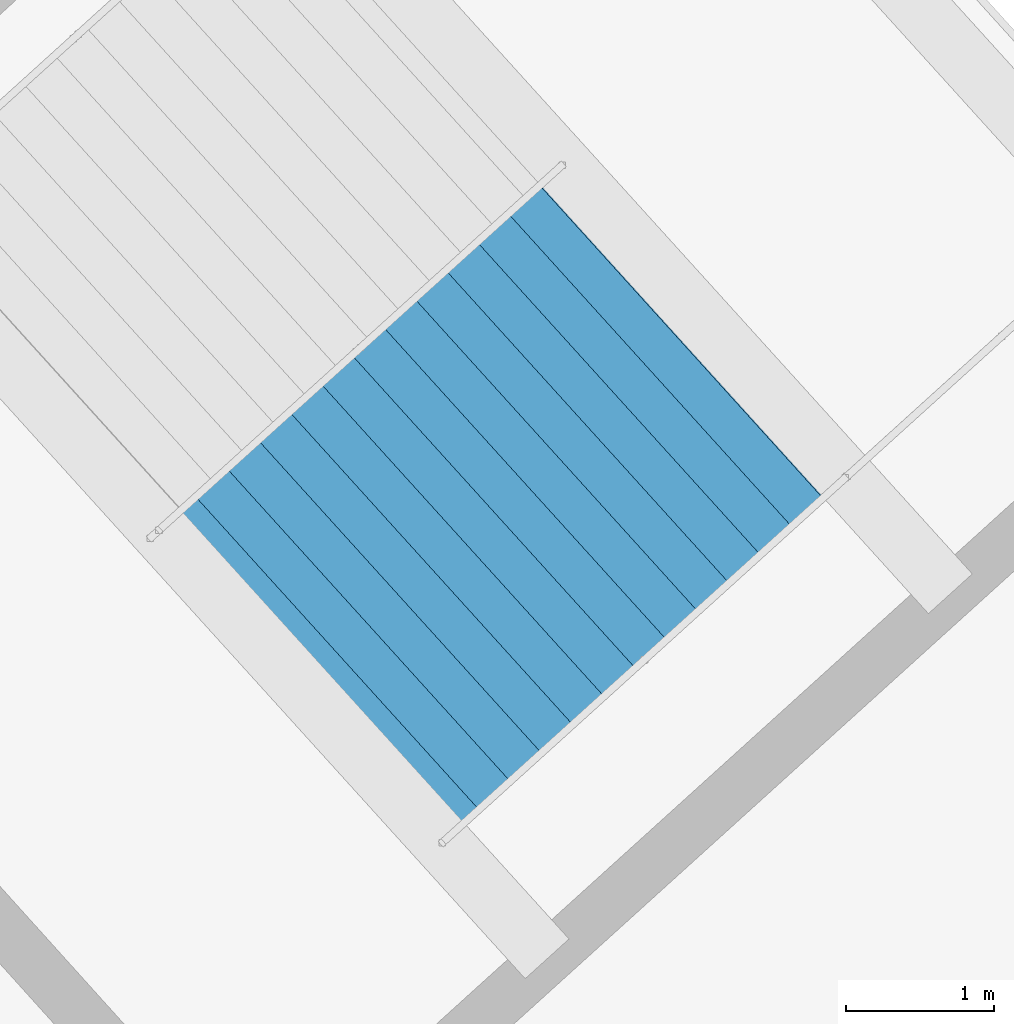
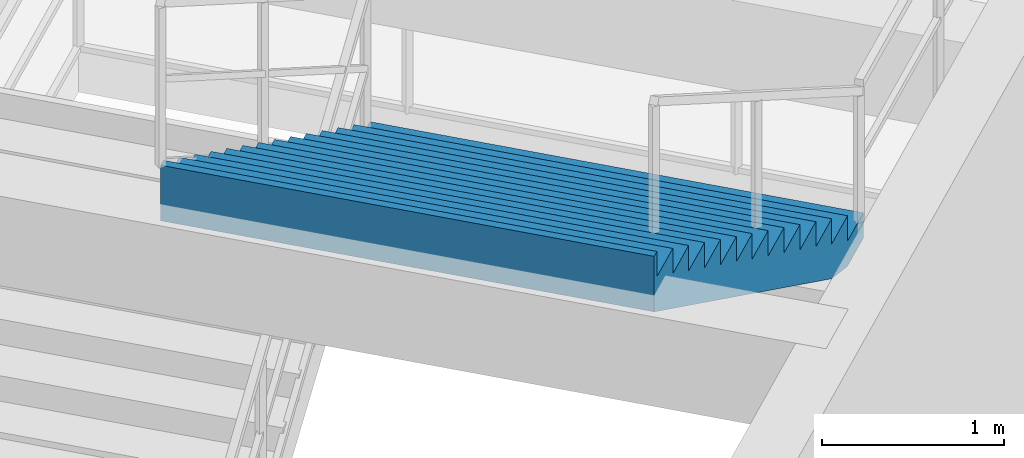
# One storey, part 125 of 156: 1 stair flight, 1 element without a shape of its own.
"""IFC4 building model written with IfcOpenShell, lengths in metres."""

from ifc_helpers import new_model, si_unit, direction, frame, origin, place, context, subcontext, project, spatial, polygons, material, type_object, element, aggregate, save


model = new_model("IFC4")

# Units and contexts
model_context = context("Model", 3, precision=1e-05, world=origin(), true_north=direction((0.0, 1.0)))
body_context = subcontext(model_context, "Body", "Model", "MODEL_VIEW")
ifc_project = project(units=[si_unit("LENGTHUNIT", "METRE"), si_unit("AREAUNIT", "SQUARE_METRE"), si_unit("VOLUMEUNIT", "CUBIC_METRE"), si_unit("PLANEANGLEUNIT", "RADIAN"), si_unit("MASSUNIT", "GRAM", prefix="KILO")], contexts=[model_context])

# Site, building, storey
site_placement = place(None, origin())
site = spatial("IfcSite", under=ifc_project, at=site_placement, CompositionType="ELEMENT")
building_placement = place(site_placement, origin())
building = spatial("IfcBuilding", under=site, at=building_placement, Name="Kazemori Nagisa Stadium", CompositionType="ELEMENT")
storey_placement = place(building_placement, frame((0.0, 0.0, 5.780029296875)))
storey = spatial("IfcBuildingStorey", under=building, at=storey_placement, Name="L01", CompositionType="ELEMENT", Elevation=5.780029296875)

# Stair, stair flight
ifc_material = material(Name="Concrete C36/45 (Fc36)", Category="concrete")
stair_type = type_object("IfcStairType", Name="Stair_CORE_28", PredefinedType="TWO_STRAIGHT_RUN_STAIR", material=ifc_material)
stair_placement = place(storey_placement, origin())
stair = element("IfcStair", 1, at=stair_placement, inside=storey, type_object=stair_type, Name="Exit stair ST04 L01", PredefinedType="TWO_STRAIGHT_RUN_STAIR")
stair_flight_type = type_object("IfcStairFlightType", Name="Flight_CORE_14", PredefinedType="STRAIGHT", material=ifc_material)
stair_flight_placement = place(storey_placement, frame((187.531494140625, 39.871337890625, 2.3798828125), z_axis=(0.0, 0.0, 1.0), x_axis=(-0.741324991793, -0.671146225903, 0.0)))
stair_flight = element("IfcStairFlight", 2, at=stair_flight_placement, type_object=stair_flight_type, Name="Exit stair ST04 L01 flight 2", NumberOfRisers=14, NumberOfTreads=13, PredefinedType="STRAIGHT", RiserHeight=0.17, TreadLength=0.285, context=body_context, shape_type="Tessellation", body=[
    polygons([(0.0, -1.425048828125, 0.0), (0.0, -1.425048828125, 0.169921875), (0.284912109375, -1.425048828125, 0.169921875), (0.284912109375, -1.425048828125, 0.340087890625), (0.570068359375, -1.425048828125, 0.340087890625), (0.570068359375, -1.425048828125, 0.510009765625), (0.85498046875, -1.425048828125, 0.510009765625), (0.85498046875, -1.425048828125, 0.679931640625), (1.139892578125, -1.425048828125, 0.679931640625), (1.139892578125, -1.425048828125, 0.85009765625), (1.425048828125, -1.425048828125, 0.85009765625), (1.425048828125, -1.425048828125, 1.02001953125), (1.7099609375, -1.425048828125, 1.02001953125), (1.7099609375, -1.425048828125, 1.18994140625), (1.9951171875, -1.425048828125, 1.18994140625), (1.9951171875, -1.425048828125, 1.360107421875), (2.280029296875, -1.425048828125, 1.360107421875), (2.280029296875, -1.425048828125, 1.530029296875), (2.56494140625, -1.425048828125, 1.530029296875), (2.56494140625, -1.425048828125, 1.699951171875), (2.85009765625, -1.425048828125, 1.699951171875), (2.85009765625, -1.425048828125, 1.8701171875), (3.135009765625, -1.425048828125, 1.8701171875), (3.135009765625, -1.425048828125, 2.0400390625), (3.419921875, -1.425048828125, 2.0400390625), (3.419921875, -1.425048828125, 2.2099609375), (3.705078125, -1.425048828125, 2.2099609375), (3.705078125, -1.425048828125, 2.3798828125), (3.7548828125, -1.425048828125, 2.3798828125), (3.7548828125, -1.425048828125, 2.007080078125), (3.705078125, -1.425048828125, 1.977294921875), (3.419921875, -1.425048828125, 1.80712890625), (3.135009765625, -1.425048828125, 1.63720703125), (2.85009765625, -1.425048828125, 1.46728515625), (2.56494140625, -1.425048828125, 1.297119140625), (2.280029296875, -1.425048828125, 1.127197265625), (1.9951171875, -1.425048828125, 0.957275390625), (1.7099609375, -1.425048828125, 0.787109375), (1.425048828125, -1.425048828125, 0.6171875), (1.139892578125, -1.425048828125, 0.447265625), (0.85498046875, -1.425048828125, 0.277099609375), (0.570068359375, -1.425048828125, 0.107177734375), (0.284912109375, -1.425048828125, 0.0), (0.0, -0.08544921875, 0.0), (0.0, -0.08544921875, 0.169921875), (0.284912109375, -0.08544921875, 0.169921875), (0.284912109375, -0.08544921875, 0.340087890625), (0.570068359375, -0.08544921875, 0.340087890625), (0.570068359375, -0.08544921875, 0.510009765625), (0.85498046875, -0.08544921875, 0.510009765625), (0.85498046875, -0.08544921875, 0.679931640625), (1.139892578125, -0.08544921875, 0.679931640625), (1.139892578125, -0.08544921875, 0.85009765625), (1.425048828125, -0.08544921875, 0.85009765625), (1.425048828125, -0.08544921875, 1.02001953125), (1.7099609375, -0.08544921875, 1.02001953125), (1.7099609375, -0.08544921875, 1.18994140625), (1.9951171875, -0.08544921875, 1.18994140625), (1.9951171875, -0.08544921875, 1.360107421875), (2.280029296875, -0.08544921875, 1.360107421875), (2.280029296875, -0.08544921875, 1.530029296875), (2.56494140625, -0.08544921875, 1.530029296875), (2.56494140625, -0.08544921875, 1.699951171875), (2.85009765625, -0.08544921875, 1.699951171875), (2.85009765625, -0.08544921875, 1.8701171875), (3.135009765625, -0.08544921875, 1.8701171875), (3.135009765625, -0.08544921875, 2.0400390625), (3.419921875, -0.08544921875, 2.0400390625), (3.419921875, -0.08544921875, 2.2099609375), (3.705078125, -0.08544921875, 2.2099609375), (3.705078125, -0.08544921875, 2.3798828125), (3.7548828125, -0.08544921875, 2.3798828125), (3.7548828125, -0.08544921875, 2.007080078125), (3.705078125, -0.08544921875, 1.977294921875), (3.419921875, -0.08544921875, 1.80712890625), (3.135009765625, -0.08544921875, 1.63720703125), (2.85009765625, -0.08544921875, 1.46728515625), (2.56494140625, -0.08544921875, 1.297119140625), (2.280029296875, -0.08544921875, 1.127197265625), (1.9951171875, -0.08544921875, 0.957275390625), (1.7099609375, -0.08544921875, 0.787109375), (1.425048828125, -0.08544921875, 0.6171875), (1.139892578125, -0.08544921875, 0.447265625), (0.85498046875, -0.08544921875, 0.277099609375), (0.570068359375, -0.08544921875, 0.107177734375), (0.284912109375, -0.08544921875, 0.0), (0.0, 0.0, 0.0), (0.0, 0.0, 0.169921875), (0.284912109375, 0.0, 0.169921875), (0.284912109375, 0.0, 0.340087890625), (0.570068359375, 0.0, 0.340087890625), (0.570068359375, 0.0, 0.510009765625), (0.85498046875, 0.0, 0.510009765625), (0.85498046875, 0.0, 0.679931640625), (1.139892578125, 0.0, 0.679931640625), (1.139892578125, 0.0, 0.85009765625), (1.425048828125, 0.0, 0.85009765625), (1.425048828125, 0.0, 1.02001953125), (1.7099609375, 0.0, 1.02001953125), (1.7099609375, 0.0, 1.18994140625), (1.9951171875, 0.0, 1.18994140625), (1.9951171875, 0.0, 1.360107421875), (2.280029296875, 0.0, 1.360107421875), (2.280029296875, 0.0, 1.530029296875), (2.56494140625, 0.0, 1.530029296875), (2.56494140625, 0.0, 1.699951171875), (2.85009765625, 0.0, 1.699951171875), (2.85009765625, 0.0, 1.8701171875), (3.135009765625, 0.0, 1.8701171875), (3.135009765625, 0.0, 2.0400390625), (3.419921875, 0.0, 2.0400390625), (3.419921875, 0.0, 2.2099609375), (3.705078125, 0.0, 2.2099609375), (3.705078125, 0.0, 2.3798828125), (3.7548828125, 0.0, 2.3798828125), (3.7548828125, 0.0, 2.007080078125), (3.705078125, 0.0, 1.977294921875), (3.419921875, 0.0, 1.80712890625), (3.135009765625, 0.0, 1.63720703125), (2.85009765625, 0.0, 1.46728515625), (2.56494140625, 0.0, 1.297119140625), (2.280029296875, 0.0, 1.127197265625), (1.9951171875, 0.0, 0.957275390625), (1.7099609375, 0.0, 0.787109375), (1.425048828125, 0.0, 0.6171875), (1.139892578125, 0.0, 0.447265625), (0.85498046875, 0.0, 0.277099609375), (0.570068359375, 0.0, 0.107177734375), (0.284912109375, 0.0, 0.0), (0.0, 0.08544921875, 0.0), (0.0, 0.08544921875, 0.169921875), (0.284912109375, 0.08544921875, 0.169921875), (0.284912109375, 0.08544921875, 0.340087890625), (0.570068359375, 0.08544921875, 0.340087890625), (0.570068359375, 0.08544921875, 0.510009765625), (0.85498046875, 0.08544921875, 0.510009765625), (0.85498046875, 0.08544921875, 0.679931640625), (1.139892578125, 0.08544921875, 0.679931640625), (1.139892578125, 0.08544921875, 0.85009765625), (1.425048828125, 0.08544921875, 0.85009765625), (1.425048828125, 0.08544921875, 1.02001953125), (1.7099609375, 0.08544921875, 1.02001953125), (1.7099609375, 0.08544921875, 1.18994140625), (1.9951171875, 0.08544921875, 1.18994140625), (1.9951171875, 0.08544921875, 1.360107421875), (2.280029296875, 0.08544921875, 1.360107421875), (2.280029296875, 0.08544921875, 1.530029296875), (2.56494140625, 0.08544921875, 1.530029296875), (2.56494140625, 0.08544921875, 1.699951171875), (2.85009765625, 0.08544921875, 1.699951171875), (2.85009765625, 0.08544921875, 1.8701171875), (3.135009765625, 0.08544921875, 1.8701171875), (3.135009765625, 0.08544921875, 2.0400390625), (3.419921875, 0.08544921875, 2.0400390625), (3.419921875, 0.08544921875, 2.2099609375), (3.705078125, 0.08544921875, 2.2099609375), (3.705078125, 0.08544921875, 2.3798828125), (3.7548828125, 0.08544921875, 2.3798828125), (3.7548828125, 0.08544921875, 2.007080078125), (3.705078125, 0.08544921875, 1.977294921875), (3.419921875, 0.08544921875, 1.80712890625), (3.135009765625, 0.08544921875, 1.63720703125), (2.85009765625, 0.08544921875, 1.46728515625), (2.56494140625, 0.08544921875, 1.297119140625), (2.280029296875, 0.08544921875, 1.127197265625), (1.9951171875, 0.08544921875, 0.957275390625), (1.7099609375, 0.08544921875, 0.787109375), (1.425048828125, 0.08544921875, 0.6171875), (1.139892578125, 0.08544921875, 0.447265625), (0.85498046875, 0.08544921875, 0.277099609375), (0.570068359375, 0.08544921875, 0.107177734375), (0.284912109375, 0.08544921875, 0.0), (0.0, 1.425048828125, 0.0), (0.0, 1.425048828125, 0.169921875), (0.284912109375, 1.425048828125, 0.169921875), (0.284912109375, 1.425048828125, 0.340087890625), (0.570068359375, 1.425048828125, 0.340087890625), (0.570068359375, 1.425048828125, 0.510009765625), (0.85498046875, 1.425048828125, 0.510009765625), (0.85498046875, 1.425048828125, 0.679931640625), (1.139892578125, 1.425048828125, 0.679931640625), (1.139892578125, 1.425048828125, 0.85009765625), (1.425048828125, 1.425048828125, 0.85009765625), (1.425048828125, 1.425048828125, 1.02001953125), (1.7099609375, 1.425048828125, 1.02001953125), (1.7099609375, 1.425048828125, 1.18994140625), (1.9951171875, 1.425048828125, 1.18994140625), (1.9951171875, 1.425048828125, 1.360107421875), (2.280029296875, 1.425048828125, 1.360107421875), (2.280029296875, 1.425048828125, 1.530029296875), (2.56494140625, 1.425048828125, 1.530029296875), (2.56494140625, 1.425048828125, 1.699951171875), (2.85009765625, 1.425048828125, 1.699951171875), (2.85009765625, 1.425048828125, 1.8701171875), (3.135009765625, 1.425048828125, 1.8701171875), (3.135009765625, 1.425048828125, 2.0400390625), (3.419921875, 1.425048828125, 2.0400390625), (3.419921875, 1.425048828125, 2.2099609375), (3.705078125, 1.425048828125, 2.2099609375), (3.705078125, 1.425048828125, 2.3798828125), (3.7548828125, 1.425048828125, 2.3798828125), (3.7548828125, 1.425048828125, 2.007080078125), (3.705078125, 1.425048828125, 1.977294921875), (3.419921875, 1.425048828125, 1.80712890625), (3.135009765625, 1.425048828125, 1.63720703125), (2.85009765625, 1.425048828125, 1.46728515625), (2.56494140625, 1.425048828125, 1.297119140625), (2.280029296875, 1.425048828125, 1.127197265625), (1.9951171875, 1.425048828125, 0.957275390625), (1.7099609375, 1.425048828125, 0.787109375), (1.425048828125, 1.425048828125, 0.6171875), (1.139892578125, 1.425048828125, 0.447265625), (0.85498046875, 1.425048828125, 0.277099609375), (0.570068359375, 1.425048828125, 0.107177734375), (0.284912109375, 1.425048828125, 0.0)], [[[1, 2, 45]], [[1, 45, 44]], [[2, 3, 46]], [[2, 46, 45]], [[3, 4, 47]], [[3, 47, 46]], [[4, 5, 48]], [[4, 48, 47]], [[5, 6, 49]], [[5, 49, 48]], [[6, 7, 50]], [[6, 50, 49]], [[7, 8, 51]], [[7, 51, 50]], [[8, 9, 52]], [[8, 52, 51]], [[9, 10, 53]], [[9, 53, 52]], [[10, 11, 54]], [[10, 54, 53]], [[11, 12, 55]], [[11, 55, 54]], [[12, 13, 56]], [[12, 56, 55]], [[13, 14, 57]], [[13, 57, 56]], [[14, 15, 58]], [[14, 58, 57]], [[15, 16, 59]], [[15, 59, 58]], [[16, 17, 60]], [[16, 60, 59]], [[17, 18, 61]], [[17, 61, 60]], [[18, 19, 62]], [[18, 62, 61]], [[19, 20, 63]], [[19, 63, 62]], [[20, 21, 64]], [[20, 64, 63]], [[21, 22, 65]], [[21, 65, 64]], [[22, 23, 66]], [[22, 66, 65]], [[23, 24, 67]], [[23, 67, 66]], [[24, 25, 68]], [[24, 68, 67]], [[25, 26, 69]], [[25, 69, 68]], [[26, 27, 70]], [[26, 70, 69]], [[27, 28, 71]], [[27, 71, 70]], [[28, 29, 72]], [[28, 72, 71]], [[29, 30, 73]], [[29, 73, 72]], [[30, 31, 74]], [[30, 74, 73]], [[31, 32, 75]], [[31, 75, 74]], [[32, 33, 76]], [[32, 76, 75]], [[33, 34, 77]], [[33, 77, 76]], [[34, 35, 78]], [[34, 78, 77]], [[35, 36, 79]], [[35, 79, 78]], [[36, 37, 80]], [[36, 80, 79]], [[37, 38, 81]], [[37, 81, 80]], [[38, 39, 82]], [[38, 82, 81]], [[39, 40, 83]], [[39, 83, 82]], [[40, 41, 84]], [[40, 84, 83]], [[41, 42, 85]], [[41, 85, 84]], [[42, 43, 86]], [[42, 86, 85]], [[43, 1, 44]], [[43, 44, 86]], [[44, 45, 88]], [[44, 88, 87]], [[45, 46, 89]], [[45, 89, 88]], [[46, 47, 90]], [[46, 90, 89]], [[47, 48, 91]], [[47, 91, 90]], [[48, 49, 92]], [[48, 92, 91]], [[49, 50, 93]], [[49, 93, 92]], [[50, 51, 94]], [[50, 94, 93]], [[51, 52, 95]], [[51, 95, 94]], [[52, 53, 96]], [[52, 96, 95]], [[53, 54, 97]], [[53, 97, 96]], [[54, 55, 98]], [[54, 98, 97]], [[55, 56, 99]], [[55, 99, 98]], [[56, 57, 100]], [[56, 100, 99]], [[57, 58, 101]], [[57, 101, 100]], [[58, 59, 102]], [[58, 102, 101]], [[59, 60, 103]], [[59, 103, 102]], [[60, 61, 104]], [[60, 104, 103]], [[61, 62, 105]], [[61, 105, 104]], [[62, 63, 106]], [[62, 106, 105]], [[63, 64, 107]], [[63, 107, 106]], [[64, 65, 108]], [[64, 108, 107]], [[65, 66, 109]], [[65, 109, 108]], [[66, 67, 110]], [[66, 110, 109]], [[67, 68, 111]], [[67, 111, 110]], [[68, 69, 112]], [[68, 112, 111]], [[69, 70, 113]], [[69, 113, 112]], [[70, 71, 114]], [[70, 114, 113]], [[71, 72, 115]], [[71, 115, 114]], [[72, 73, 116]], [[72, 116, 115]], [[73, 74, 117]], [[73, 117, 116]], [[74, 75, 118]], [[74, 118, 117]], [[75, 76, 119]], [[75, 119, 118]], [[76, 77, 120]], [[76, 120, 119]], [[77, 78, 121]], [[77, 121, 120]], [[78, 79, 122]], [[78, 122, 121]], [[79, 80, 123]], [[79, 123, 122]], [[80, 81, 124]], [[80, 124, 123]], [[81, 82, 125]], [[81, 125, 124]], [[82, 83, 126]], [[82, 126, 125]], [[83, 84, 127]], [[83, 127, 126]], [[84, 85, 128]], [[84, 128, 127]], [[85, 86, 129]], [[85, 129, 128]], [[86, 44, 87]], [[86, 87, 129]], [[87, 88, 131]], [[87, 131, 130]], [[88, 89, 132]], [[88, 132, 131]], [[89, 90, 133]], [[89, 133, 132]], [[90, 91, 134]], [[90, 134, 133]], [[91, 92, 135]], [[91, 135, 134]], [[92, 93, 136]], [[92, 136, 135]], [[93, 94, 137]], [[93, 137, 136]], [[94, 95, 138]], [[94, 138, 137]], [[95, 96, 139]], [[95, 139, 138]], [[96, 97, 140]], [[96, 140, 139]], [[97, 98, 141]], [[97, 141, 140]], [[98, 99, 142]], [[98, 142, 141]], [[99, 100, 143]], [[99, 143, 142]], [[100, 101, 144]], [[100, 144, 143]], [[101, 102, 145]], [[101, 145, 144]], [[102, 103, 146]], [[102, 146, 145]], [[103, 104, 147]], [[103, 147, 146]], [[104, 105, 148]], [[104, 148, 147]], [[105, 106, 149]], [[105, 149, 148]], [[106, 107, 150]], [[106, 150, 149]], [[107, 108, 151]], [[107, 151, 150]], [[108, 109, 152]], [[108, 152, 151]], [[109, 110, 153]], [[109, 153, 152]], [[110, 111, 154]], [[110, 154, 153]], [[111, 112, 155]], [[111, 155, 154]], [[112, 113, 156]], [[112, 156, 155]], [[113, 114, 157]], [[113, 157, 156]], [[114, 115, 158]], [[114, 158, 157]], [[115, 116, 159]], [[115, 159, 158]], [[116, 117, 160]], [[116, 160, 159]], [[117, 118, 161]], [[117, 161, 160]], [[118, 119, 162]], [[118, 162, 161]], [[119, 120, 163]], [[119, 163, 162]], [[120, 121, 164]], [[120, 164, 163]], [[121, 122, 165]], [[121, 165, 164]], [[122, 123, 166]], [[122, 166, 165]], [[123, 124, 167]], [[123, 167, 166]], [[124, 125, 168]], [[124, 168, 167]], [[125, 126, 169]], [[125, 169, 168]], [[126, 127, 170]], [[126, 170, 169]], [[127, 128, 171]], [[127, 171, 170]], [[128, 129, 172]], [[128, 172, 171]], [[129, 87, 130]], [[129, 130, 172]], [[130, 131, 174]], [[130, 174, 173]], [[131, 132, 175]], [[131, 175, 174]], [[132, 133, 176]], [[132, 176, 175]], [[133, 134, 177]], [[133, 177, 176]], [[134, 135, 178]], [[134, 178, 177]], [[135, 136, 179]], [[135, 179, 178]], [[136, 137, 180]], [[136, 180, 179]], [[137, 138, 181]], [[137, 181, 180]], [[138, 139, 182]], [[138, 182, 181]], [[139, 140, 183]], [[139, 183, 182]], [[140, 141, 184]], [[140, 184, 183]], [[141, 142, 185]], [[141, 185, 184]], [[142, 143, 186]], [[142, 186, 185]], [[143, 144, 187]], [[143, 187, 186]], [[144, 145, 188]], [[144, 188, 187]], [[145, 146, 189]], [[145, 189, 188]], [[146, 147, 190]], [[146, 190, 189]], [[147, 148, 191]], [[147, 191, 190]], [[148, 149, 192]], [[148, 192, 191]], [[149, 150, 193]], [[149, 193, 192]], [[150, 151, 194]], [[150, 194, 193]], [[151, 152, 195]], [[151, 195, 194]], [[152, 153, 196]], [[152, 196, 195]], [[153, 154, 197]], [[153, 197, 196]], [[154, 155, 198]], [[154, 198, 197]], [[155, 156, 199]], [[155, 199, 198]], [[156, 157, 200]], [[156, 200, 199]], [[157, 158, 201]], [[157, 201, 200]], [[158, 159, 202]], [[158, 202, 201]], [[159, 160, 203]], [[159, 203, 202]], [[160, 161, 204]], [[160, 204, 203]], [[161, 162, 205]], [[161, 205, 204]], [[162, 163, 206]], [[162, 206, 205]], [[163, 164, 207]], [[163, 207, 206]], [[164, 165, 208]], [[164, 208, 207]], [[165, 166, 209]], [[165, 209, 208]], [[166, 167, 210]], [[166, 210, 209]], [[167, 168, 211]], [[167, 211, 210]], [[168, 169, 212]], [[168, 212, 211]], [[169, 170, 213]], [[169, 213, 212]], [[170, 171, 214]], [[170, 214, 213]], [[171, 172, 215]], [[171, 215, 214]], [[172, 130, 173]], [[172, 173, 215]], [[3, 2, 1]], [[173, 174, 175]], [[43, 3, 1]], [[173, 175, 215]], [[42, 3, 43]], [[215, 175, 214]], [[5, 3, 42]], [[214, 175, 177]], [[5, 4, 3]], [[175, 176, 177]], [[41, 5, 42]], [[214, 177, 213]], [[7, 5, 41]], [[213, 177, 179]], [[7, 6, 5]], [[177, 178, 179]], [[40, 7, 41]], [[213, 179, 212]], [[9, 7, 40]], [[212, 179, 181]], [[9, 8, 7]], [[179, 180, 181]], [[39, 9, 40]], [[212, 181, 211]], [[11, 9, 39]], [[211, 181, 183]], [[11, 10, 9]], [[181, 182, 183]], [[38, 11, 39]], [[211, 183, 210]], [[13, 11, 38]], [[210, 183, 185]], [[13, 12, 11]], [[183, 184, 185]], [[37, 13, 38]], [[210, 185, 209]], [[15, 13, 37]], [[209, 185, 187]], [[15, 14, 13]], [[185, 186, 187]], [[36, 15, 37]], [[209, 187, 208]], [[17, 15, 36]], [[208, 187, 189]], [[17, 16, 15]], [[187, 188, 189]], [[35, 17, 36]], [[208, 189, 207]], [[19, 17, 35]], [[207, 189, 191]], [[19, 18, 17]], [[189, 190, 191]], [[34, 19, 35]], [[207, 191, 206]], [[21, 19, 34]], [[206, 191, 193]], [[21, 20, 19]], [[191, 192, 193]], [[33, 21, 34]], [[206, 193, 205]], [[23, 21, 33]], [[205, 193, 195]], [[23, 22, 21]], [[193, 194, 195]], [[32, 23, 33]], [[205, 195, 204]], [[25, 23, 32]], [[204, 195, 197]], [[25, 24, 23]], [[195, 196, 197]], [[31, 25, 32]], [[204, 197, 203]], [[27, 25, 31]], [[203, 197, 199]], [[27, 26, 25]], [[197, 198, 199]], [[30, 27, 31]], [[203, 199, 202]], [[29, 27, 30]], [[202, 199, 201]], [[29, 28, 27]], [[199, 200, 201]]], closed=True),
])
aggregate(stair, [stair_flight])

save(model, "model.ifc")
